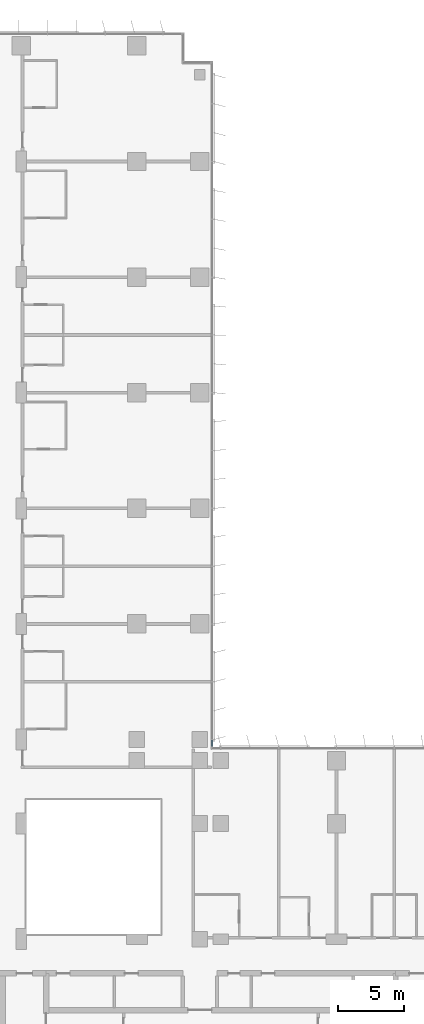
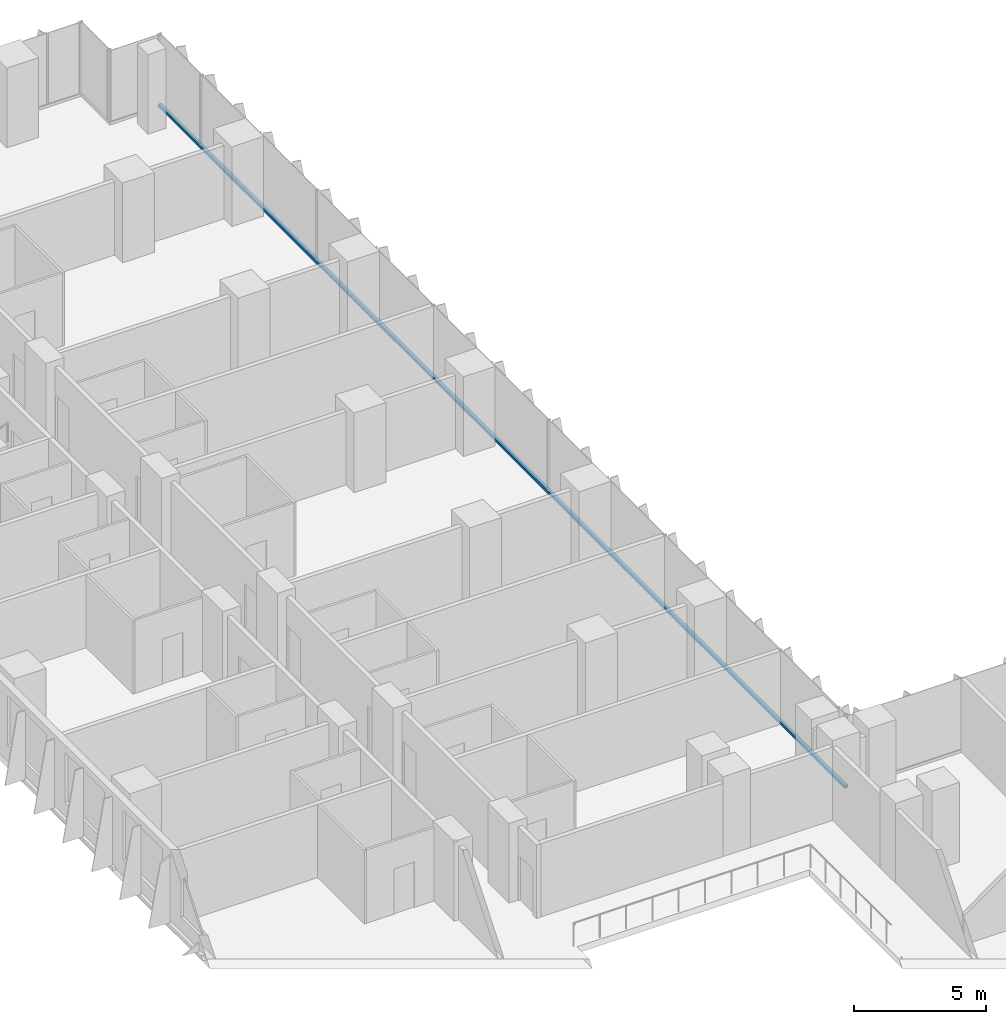
# One storey, part 6 of 24: 1 member, 1 element without a shape of its own.
"""IFC4 building model written with IfcOpenShell, lengths in metres."""

from ifc_helpers import new_model, si_unit, direction, frame, origin, origin_2d, place, context, subcontext, project, spatial, rectangle, extrude, material, material_profile, profile_set, type_object, element, aggregate, save


model = new_model("IFC4")

# Units and contexts
model_context = context("Model", 3, precision=1e-05, world=origin(), true_north=direction((0.0, 1.0)))
body_context = subcontext(model_context, "Body", "Model", "MODEL_VIEW")
ifc_project = project(units=[si_unit("LENGTHUNIT", "METRE"), si_unit("AREAUNIT", "SQUARE_METRE"), si_unit("VOLUMEUNIT", "CUBIC_METRE"), si_unit("PLANEANGLEUNIT", "RADIAN"), si_unit("MASSUNIT", "GRAM", prefix="KILO")], contexts=[model_context])

# Site, building, storey
site_placement = place(None, origin())
site = spatial("IfcSite", under=ifc_project, at=site_placement, CompositionType="ELEMENT")
building_placement = place(site_placement, origin())
building = spatial("IfcBuilding", under=site, at=building_placement, Name="Kemantara Hotel Tower", CompositionType="ELEMENT")
storey_placement = place(building_placement, frame((0.0, 0.0, 63.60009765625)))
storey = spatial("IfcBuildingStorey", under=building, at=storey_placement, Name="L14", CompositionType="ELEMENT", Elevation=63.60009765625)

# Curtain wall, member
ifc_material_1 = material(Name="Low-E tinted double insulated glass 36 mm", Category="glass")
curtain_wall_type = type_object("IfcCurtainWallType", Name="TOWER CURTAIN WALL, FRONT FACES", PredefinedType="USERDEFINED", material=ifc_material_1)
curtain_wall_placement = place(storey_placement, origin())
curtain_wall = element("IfcCurtainWall", 1, at=curtain_wall_placement, inside=storey, type_object=curtain_wall_type, Name="CW4 L14 T1-R08-1", ObjectType="TOWER CURTAIN WALL, FRONT FACES", PredefinedType="USERDEFINED")
ifc_material_2 = material(Name="Aluminium 6063-T6 bronze anodised", Category="aluminium")
ifc_material_profile = material_profile(ifc_material_2, rectangle(XDim=0.14990234375, YDim=0.1201171875, at=origin_2d()), Name="TOWER CURTAIN WALL, FRONT FACES TRANSOM")
ifc_profile_set = profile_set([ifc_material_profile], Name="Aluminium 6063-T6 bronze anodised")
member_type = type_object("IfcMemberType", Name="TOWER CURTAIN WALL, FRONT FACES TRANSOM", PredefinedType="USERDEFINED", material=ifc_profile_set)
member_placement = place(storey_placement, frame((26.72509765625, 26.800048828125, 0.059814453125), z_axis=(0.0, 1.0, 0.0), x_axis=(-1.0, 0.0, 0.0)))
member = element("IfcMember", 2, at=member_placement, type_object=member_type, Name="CW4 sill transom T1-R08-1", ObjectType="TRANSOM", PredefinedType="USERDEFINED", context=body_context, shape_type="SweptSolid", body=[
    extrude(rectangle(XDim=0.14990234375, YDim=0.1201171875, at=origin_2d()), origin(), (0.0, 0.0, 1.0), 52.199951171875),
])
aggregate(curtain_wall, [member])

save(model, "model.ifc")
